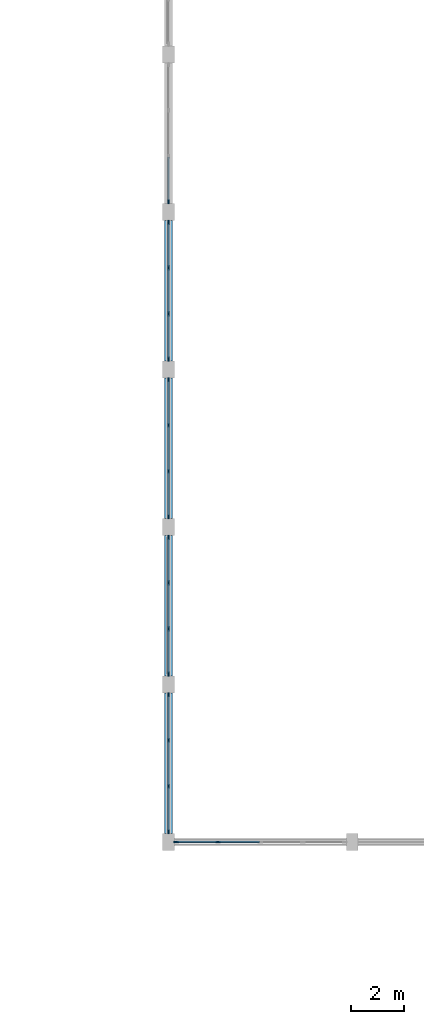
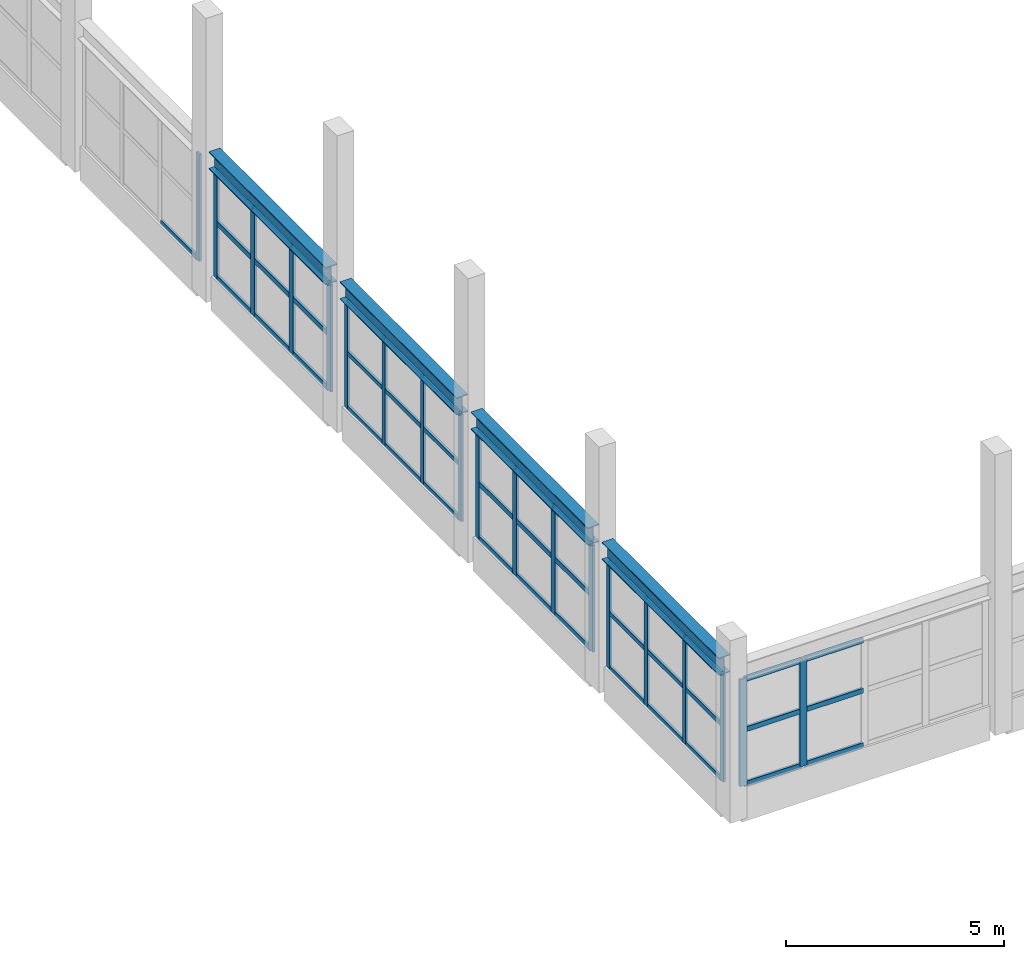
# One storey, part 12 of 89: 62 members, 4 beams, 6 elements without a shape of their own.
"""IFC4 building model written with IfcOpenShell, lengths in metres."""

import ifcopenshell
import ifcopenshell.guid

model = None  # the IFC model being written
_history = None  # IfcOwnerHistory: only IFC2X3 demands one
_inside = {}  # id of a spatial element -> (the spatial element, [elements in it])
_under = {}  # id of a project, library or spatial element -> (it, [spatial elements below it])
_declared = {}  # id of a project -> (the project, [libraries it declares])
_typed = {}  # id of a type object -> (the type object, [elements of that type])
_made_of = {}  # id of a material, layer set ... -> (it, [elements and type objects made of it])


def new_model(schema):
    """Start an empty IFC model of exactly this schema.

    Asked for "IFC4X3", IfcOpenShell would pick the latest addendum, in which some entities
    have other attributes; the version numbers below select the first issue.
    IFC2X3 requires an IfcOwnerHistory on every rooted entity: one is made here for all.
    """
    global model, _history
    if schema == "IFC4X3":
        model = ifcopenshell.file(schema_version=(4, 3, 0, 0))
    else:
        model = ifcopenshell.file(schema=schema)
    _inside.clear()
    _under.clear()
    _declared.clear()
    _typed.clear()
    _made_of.clear()
    _history = None
    if model.schema == "IFC2X3":
        org = make("IfcOrganization", Name="unknown")
        user = make(
            "IfcPersonAndOrganization",
            ThePerson=make("IfcPerson", FamilyName="unknown"),
            TheOrganization=org,
        )
        app = make(
            "IfcApplication",
            ApplicationDeveloper=org,
            Version="unknown",
            ApplicationFullName="unknown",
            ApplicationIdentifier="unknown",
        )
        _history = make(
            "IfcOwnerHistory",
            OwningUser=user,
            OwningApplication=app,
            ChangeAction="ADDED",
            CreationDate=0,
        )
    return model


def make(cls, **values):
    """One entity of the class cls with the attributes given. An attribute that is None is left unset."""
    return model.create_entity(
        cls, **{name: value for name, value in values.items() if value is not None}
    )


def rooted(cls, **values):
    """An entity with a GlobalId (a new one), such as an element, a storey or a relation."""
    return make(cls, GlobalId=ifcopenshell.guid.new(), OwnerHistory=_history, **values)


def si_unit(unit_type, name, prefix=None):
    """IfcSIUnit, for example si_unit("LENGTHUNIT", "METRE", prefix="MILLI")."""
    return make("IfcSIUnit", UnitType=unit_type, Prefix=prefix, Name=name)


def assignment(units):
    """IfcUnitAssignment: the units of a project."""
    return None if units is None else make("IfcUnitAssignment", Units=units)


def point(xyz):
    """IfcCartesianPoint."""
    return None if xyz is None else make("IfcCartesianPoint", Coordinates=xyz)


def direction(xyz):
    """IfcDirection."""
    return None if xyz is None else make("IfcDirection", DirectionRatios=xyz)


def frame(location, z_axis=None, x_axis=None):
    """IfcAxis2Placement3D, a coordinate frame: its origin and axes. An axis left out is left unset."""
    return make(
        "IfcAxis2Placement3D",
        Location=point(location),
        Axis=direction(z_axis),
        RefDirection=direction(x_axis),
    )


def frame_2d(location, x_axis=None):
    """IfcAxis2Placement2D, a coordinate frame in the plane: its origin and x axis."""
    return make(
        "IfcAxis2Placement2D", Location=point(location), RefDirection=direction(x_axis)
    )


def origin():
    """The frame at (0, 0, 0) with its axes left unset."""
    return frame((0.0, 0.0, 0.0))


def origin_2d():
    """The frame at (0, 0) in the plane with its x axis left unset."""
    return frame_2d((0.0, 0.0))


def place(relative_to, where):
    """IfcLocalPlacement: puts the frame where relative to a parent placement (None: the world)."""
    return make(
        "IfcLocalPlacement", PlacementRelTo=relative_to, RelativePlacement=where
    )


def context(
    kind, dimensions, precision=None, world=None, true_north=None, identifier=None
):
    """IfcGeometricRepresentationContext, for example the 3D "Model" context."""
    return make(
        "IfcGeometricRepresentationContext",
        ContextIdentifier=identifier,
        ContextType=kind,
        CoordinateSpaceDimension=dimensions,
        Precision=precision,
        WorldCoordinateSystem=world,
        TrueNorth=true_north,
    )


def subcontext(parent, identifier, kind, view, scale=None):
    """IfcGeometricRepresentationSubContext, for example "Body" below "Model"."""
    return make(
        "IfcGeometricRepresentationSubContext",
        ContextIdentifier=identifier,
        ContextType=kind,
        ParentContext=parent,
        TargetScale=scale,
        TargetView=view,
    )


def project(units=None, contexts=None):
    """IfcProject with its units and contexts."""
    return rooted(
        "IfcProject",
        Name="project",
        RepresentationContexts=contexts,
        UnitsInContext=assignment(units),
    )


def spatial(cls, under=None, at=None, **own):
    """A site, building, storey or space (cls), placed at a placement, below another one or the project."""
    s = rooted(cls, ObjectPlacement=at, **own)
    if under is not None:
        _under.setdefault(under.id(), (under, []))[1].append(s)
    return s


def profile(cls, at=None, kind="AREA", **sizes):
    """A parametric profile (cls). Its sizes go by their IFC names, for example OverallWidth=200.0."""
    return make(cls, ProfileType=kind, Position=at, **sizes)


def rectangle(**sizes):
    """IfcRectangleProfileDef."""
    return profile("IfcRectangleProfileDef", **sizes)


def i_section(**sizes):
    """IfcIShapeProfileDef."""
    return profile("IfcIShapeProfileDef", **sizes)


def extrude(swept, where, along, depth):
    """IfcExtrudedAreaSolid: the profile swept, set in the frame where, extruded along a direction by depth."""
    return make(
        "IfcExtrudedAreaSolid",
        SweptArea=swept,
        Position=where,
        ExtrudedDirection=direction(along),
        Depth=depth,
    )


def shape(context_of_items, identifier, shape_type, items):
    """IfcShapeRepresentation: the items that make up one representation, for example the "Body"."""
    return make(
        "IfcShapeRepresentation",
        ContextOfItems=context_of_items,
        RepresentationIdentifier=identifier,
        RepresentationType=shape_type,
        Items=items,
    )


def material(Name=None, Category=None):
    """IfcMaterial."""
    return make("IfcMaterial", Name=Name, Category=Category)


def layer(
    of_material, thickness, ventilated=None, Name=None, Category=None, Priority=None
):
    """IfcMaterialLayer: one layer of a wall or slab, of a material (None: an air gap)."""
    return make(
        "IfcMaterialLayer",
        Material=of_material,
        LayerThickness=thickness,
        IsVentilated=ventilated,
        Name=Name,
        Category=Category,
        Priority=Priority,
    )


def layer_set(layers, Name=None):
    """IfcMaterialLayerSet."""
    return make("IfcMaterialLayerSet", MaterialLayers=layers, LayerSetName=Name)


def material_profile(
    of_material, cross_section, Name=None, Category=None, Priority=None
):
    """IfcMaterialProfile: a cross section and its material."""
    return make(
        "IfcMaterialProfile",
        Name=Name,
        Material=of_material,
        Profile=cross_section,
        Priority=Priority,
        Category=Category,
    )


def profile_set(profiles, Name=None, composite=None):
    """IfcMaterialProfileSet."""
    return make(
        "IfcMaterialProfileSet",
        Name=Name,
        MaterialProfiles=profiles,
        CompositeProfile=composite,
    )


def made_of(thing, what):
    """Note that an element or type object is made of a material, layer set ...; save() writes the relation."""
    if what is not None:
        _made_of.setdefault(what.id(), (what, []))[1].append(thing)
    return thing


def type_object(cls, material=None, **own):
    """A type object (cls), such as IfcWallType, which elements share."""
    return made_of(rooted(cls, **own), material)


def element(
    cls,
    number,
    at=None,
    inside=None,
    cuts=None,
    type_object=None,
    material=None,
    context=None,
    identifier="Body",
    shape_type=None,
    held_by="IfcProductDefinitionShape",
    body=None,
    shapes=None,
    **own,
):
    """One element of the class cls, such as IfcWall. Its Tag is "e" and its number.

    at: its placement. inside: the storey or other place that contains it. cuts: it is an
    opening in that element (IfcRelVoidsElement). A single representation is given by context,
    identifier, shape_type and body (its items); several are given by shapes. held_by: the class
    of the entity that holds the representations. save() writes the other relations.
    """
    e = rooted(cls, Tag="e%d" % number, ObjectPlacement=at, **own)
    if body is not None:
        shapes = [shape(context, identifier, shape_type, body)]
    if shapes is not None:
        e.Representation = make(held_by, Representations=shapes)
    if inside is not None:
        _inside.setdefault(inside.id(), (inside, []))[1].append(e)
    if cuts is not None:
        rooted(
            "IfcRelVoidsElement", RelatingBuildingElement=cuts, RelatedOpeningElement=e
        )
    if type_object is not None:
        _typed.setdefault(type_object.id(), (type_object, []))[1].append(e)
    return made_of(e, material)


def aggregate(whole, parts):
    """IfcRelAggregates: a whole, such as a stair, and the parts it consists of."""
    return rooted("IfcRelAggregates", RelatingObject=whole, RelatedObjects=parts)


def save(model, path):
    """Write the relations noted so far, then the file.

    IfcRelAggregates (storeys below a building ...), IfcRelContainedInSpatialStructure (elements
    in a storey), IfcRelDefinesByType, IfcRelAssociatesMaterial and IfcRelDeclares: one each for
    every whole, place, type object, material and project.
    """
    for whole, parts in _under.values():
        aggregate(whole, parts)
    for where, things in _inside.values():
        rooted(
            "IfcRelContainedInSpatialStructure",
            RelatedElements=things,
            RelatingStructure=where,
        )
    for kind, things in _typed.values():
        rooted("IfcRelDefinesByType", RelatedObjects=things, RelatingType=kind)
    for what, things in _made_of.values():
        rooted("IfcRelAssociatesMaterial", RelatedObjects=things, RelatingMaterial=what)
    for by, libraries in _declared.values():
        rooted("IfcRelDeclares", RelatingContext=by, RelatedDefinitions=libraries)
    model.write(path)


model = new_model("IFC4")

# Units and contexts
model_context = context("Model", 3, precision=1e-05, world=origin(), true_north=direction((0.0, 1.0)))
body_context = subcontext(model_context, "Body", "Model", "MODEL_VIEW")
ifc_project = project(units=[si_unit("LENGTHUNIT", "METRE"), si_unit("AREAUNIT", "SQUARE_METRE"), si_unit("VOLUMEUNIT", "CUBIC_METRE"), si_unit("PLANEANGLEUNIT", "RADIAN"), si_unit("MASSUNIT", "GRAM", prefix="KILO")], contexts=[model_context])

# Site, building, storey
site_placement = place(None, origin())
site = spatial("IfcSite", under=ifc_project, at=site_placement, CompositionType="ELEMENT")
building_placement = place(site_placement, origin())
building = spatial("IfcBuilding", under=site, at=building_placement, Name="Tonlespit Floodbar School", CompositionType="ELEMENT")
storey_placement = place(building_placement, frame((0.0, 0.0, 4.5)))
storey = spatial("IfcBuildingStorey", under=building, at=storey_placement, Name="L01", CompositionType="ELEMENT", Elevation=4.5)

# Curtain wall, members
ifc_material_1 = material(Name="Anodised Aluminium", Category="aluminium")
ifc_layer_1 = layer(ifc_material_1, 0.159912109375)
ifc_layer_set_1 = layer_set([ifc_layer_1], Name="Anodised Aluminium")
curtain_wall_type_1 = type_object("IfcCurtainWallType", Name="CurtainWall_5250x3000", PredefinedType="NOTDEFINED", material=ifc_layer_set_1)
curtain_wall_1_placement = place(storey_placement, origin())
curtain_wall_1 = element("IfcCurtainWall", 1, at=curtain_wall_1_placement, inside=storey, type_object=curtain_wall_type_1, Name="L01 unitised curtain wall 0318", PredefinedType="NOTDEFINED")
ifc_material_profile_1 = material_profile(ifc_material_1, rectangle(XDim=0.06494140625, YDim=0.14990234375, at=origin_2d()), Name="ALU M65x150")
ifc_profile_set_1 = profile_set([ifc_material_profile_1], Name="Anodised Aluminium")
member_type_1 = type_object("IfcMemberType", Name="CW_Mullion_65x150", PredefinedType="MULLION", material=ifc_profile_set_1)
member_1_placement = place(storey_placement, frame((127.0, 20.3974609375, 0.68994140625), z_axis=(0.0, 0.0, 1.0), x_axis=(-1.0, 0.0, 0.0)))
member_1 = element("IfcMember", 2, at=member_1_placement, type_object=member_type_1, Name="CW-50 mullion 1", PredefinedType="MULLION", context=body_context, shape_type="SweptSolid", body=[
    extrude(rectangle(XDim=0.06494140625, YDim=0.14990234375, at=origin_2d()), origin(), (0.0, 0.0, 1.0), 2.989990234375),
])
member_2_placement = place(storey_placement, frame((127.0, 22.12158203125, 0.68994140625), z_axis=(0.0, 0.0, 1.0), x_axis=(-1.0, 0.0, 0.0)))
member_2 = element("IfcMember", 3, at=member_2_placement, type_object=member_type_1, Name="CW-50 mullion 2", PredefinedType="MULLION", context=body_context, shape_type="SweptSolid", body=[
    extrude(rectangle(XDim=0.06494140625, YDim=0.14990234375, at=origin_2d()), origin(), (0.0, 0.0, 1.0), 2.989990234375),
])
member_3_placement = place(storey_placement, frame((127.0, 23.87841796875, 0.68994140625), z_axis=(0.0, 0.0, 1.0), x_axis=(-1.0, 0.0, 0.0)))
member_3 = element("IfcMember", 4, at=member_3_placement, type_object=member_type_1, Name="CW-50 mullion 3", PredefinedType="MULLION", context=body_context, shape_type="SweptSolid", body=[
    extrude(rectangle(XDim=0.06494140625, YDim=0.14990234375, at=origin_2d()), origin(), (0.0, 0.0, 1.0), 2.989990234375),
])
member_4_placement = place(storey_placement, frame((127.0, 25.6025390625, 0.68994140625), z_axis=(0.0, 0.0, 1.0), x_axis=(-1.0, 0.0, 0.0)))
member_4 = element("IfcMember", 5, at=member_4_placement, type_object=member_type_1, Name="CW-50 mullion 4", PredefinedType="MULLION", context=body_context, shape_type="SweptSolid", body=[
    extrude(rectangle(XDim=0.06494140625, YDim=0.14990234375, at=origin_2d()), origin(), (0.0, 0.0, 1.0), 2.989990234375),
])

curtain_wall_2_placement = place(storey_placement, origin())
curtain_wall_2 = element("IfcCurtainWall", 6, at=curtain_wall_2_placement, inside=storey, type_object=curtain_wall_type_1, Name="L01 unitised curtain wall 0320", PredefinedType="NOTDEFINED")
member_5_placement = place(storey_placement, frame((127.0, 32.3974609375, 0.68994140625), z_axis=(0.0, 0.0, 1.0), x_axis=(-1.0, 0.0, 0.0)))
member_5 = element("IfcMember", 7, at=member_5_placement, type_object=member_type_1, Name="CW-50 mullion 1", PredefinedType="MULLION", context=body_context, shape_type="SweptSolid", body=[
    extrude(rectangle(XDim=0.06494140625, YDim=0.14990234375, at=origin_2d()), origin(), (0.0, 0.0, 1.0), 2.989990234375),
])
member_6_placement = place(storey_placement, frame((127.0, 34.12158203125, 0.68994140625), z_axis=(0.0, 0.0, 1.0), x_axis=(-1.0, 0.0, 0.0)))
member_6 = element("IfcMember", 8, at=member_6_placement, type_object=member_type_1, Name="CW-50 mullion 2", PredefinedType="MULLION", context=body_context, shape_type="SweptSolid", body=[
    extrude(rectangle(XDim=0.06494140625, YDim=0.14990234375, at=origin_2d()), origin(), (0.0, 0.0, 1.0), 2.989990234375),
])
member_7_placement = place(storey_placement, frame((127.0, 35.87841796875, 0.68994140625), z_axis=(0.0, 0.0, 1.0), x_axis=(-1.0, 0.0, 0.0)))
member_7 = element("IfcMember", 9, at=member_7_placement, type_object=member_type_1, Name="CW-50 mullion 3", PredefinedType="MULLION", context=body_context, shape_type="SweptSolid", body=[
    extrude(rectangle(XDim=0.06494140625, YDim=0.14990234375, at=origin_2d()), origin(), (0.0, 0.0, 1.0), 2.989990234375),
])
member_8_placement = place(storey_placement, frame((127.0, 37.6025390625, 0.68994140625), z_axis=(0.0, 0.0, 1.0), x_axis=(-1.0, 0.0, 0.0)))
member_8 = element("IfcMember", 10, at=member_8_placement, type_object=member_type_1, Name="CW-50 mullion 4", PredefinedType="MULLION", context=body_context, shape_type="SweptSolid", body=[
    extrude(rectangle(XDim=0.06494140625, YDim=0.14990234375, at=origin_2d()), origin(), (0.0, 0.0, 1.0), 2.989990234375),
])

# Curtain wall, member
curtain_wall_3_placement = place(storey_placement, origin())
curtain_wall_3 = element("IfcCurtainWall", 11, at=curtain_wall_3_placement, inside=storey, type_object=curtain_wall_type_1, Name="L01 unitised curtain wall 0322", PredefinedType="NOTDEFINED")
member_9_placement = place(storey_placement, frame((127.0, 44.3974609375, 0.68994140625), z_axis=(0.0, 0.0, 1.0), x_axis=(-1.0, 0.0, 0.0)))
member_9 = element("IfcMember", 12, at=member_9_placement, type_object=member_type_1, Name="CW-50 mullion 1", PredefinedType="MULLION", context=body_context, shape_type="SweptSolid", body=[
    extrude(rectangle(XDim=0.06494140625, YDim=0.14990234375, at=origin_2d()), origin(), (0.0, 0.0, 1.0), 2.989990234375),
])

# Curtain wall, members
ifc_layer_2 = layer(ifc_material_1, 0.159912109375)
ifc_layer_set_2 = layer_set([ifc_layer_2], Name="Anodised Aluminium")
curtain_wall_type_2 = type_object("IfcCurtainWallType", Name="CurtainWall_6450x3000", PredefinedType="NOTDEFINED", material=ifc_layer_set_2)
curtain_wall_4_placement = place(storey_placement, origin())
curtain_wall_4 = element("IfcCurtainWall", 13, at=curtain_wall_4_placement, inside=storey, type_object=curtain_wall_type_2, Name="L01 unitised curtain wall 0317", PredefinedType="NOTDEFINED")
ifc_material_profile_2 = material_profile(ifc_material_1, rectangle(XDim=0.06494140625, YDim=0.179931640625, at=origin_2d()), Name="ALU M65x180")
ifc_profile_set_2 = profile_set([ifc_material_profile_2], Name="Anodised Aluminium")
member_type_2 = type_object("IfcMemberType", Name="CW_Mullion_65x180", PredefinedType="MULLION", material=ifc_profile_set_2)
member_10_placement = place(storey_placement, frame((128.882568359375, 20.0, 0.68994140625), z_axis=(0.0, 0.0, 1.0), x_axis=(0.0, -1.0, 0.0)))
member_10 = element("IfcMember", 14, at=member_10_placement, type_object=member_type_2, Name="CW-49 mullion 4", PredefinedType="MULLION", context=body_context, shape_type="SweptSolid", body=[
    extrude(rectangle(XDim=0.06494140625, YDim=0.179931640625, at=origin_2d()), origin(), (0.0, 0.0, 1.0), 2.989990234375),
])
member_11_placement = place(storey_placement, frame((127.297607421875, 20.0, 0.68994140625), z_axis=(0.0, 0.0, 1.0), x_axis=(0.0, -1.0, 0.0)))
member_11 = element("IfcMember", 15, at=member_11_placement, type_object=member_type_2, Name="CW-49 mullion 5", PredefinedType="MULLION", context=body_context, shape_type="SweptSolid", body=[
    extrude(rectangle(XDim=0.06494140625, YDim=0.179931640625, at=origin_2d()), origin(), (0.0, 0.0, 1.0), 2.989990234375),
])

curtain_wall_5_placement = place(storey_placement, origin())
curtain_wall_5 = element("IfcCurtainWall", 16, at=curtain_wall_5_placement, inside=storey, type_object=curtain_wall_type_1, Name="L01 unitised curtain wall 0319", PredefinedType="NOTDEFINED")
member_12_placement = place(storey_placement, frame((127.0, 26.3974609375, 0.68994140625), z_axis=(0.0, 0.0, 1.0), x_axis=(-1.0, 0.0, 0.0)))
member_12 = element("IfcMember", 17, at=member_12_placement, type_object=member_type_2, Name="CW-50 mullion 1", PredefinedType="MULLION", context=body_context, shape_type="SweptSolid", body=[
    extrude(rectangle(XDim=0.06494140625, YDim=0.179931640625, at=origin_2d()), origin(), (0.0, 0.0, 1.0), 2.989990234375),
])
member_13_placement = place(storey_placement, frame((127.0, 28.12158203125, 0.68994140625), z_axis=(0.0, 0.0, 1.0), x_axis=(-1.0, 0.0, 0.0)))
member_13 = element("IfcMember", 18, at=member_13_placement, type_object=member_type_2, Name="CW-50 mullion 2", PredefinedType="MULLION", context=body_context, shape_type="SweptSolid", body=[
    extrude(rectangle(XDim=0.06494140625, YDim=0.179931640625, at=origin_2d()), origin(), (0.0, 0.0, 1.0), 2.989990234375),
])
member_14_placement = place(storey_placement, frame((127.0, 29.87841796875, 0.68994140625), z_axis=(0.0, 0.0, 1.0), x_axis=(-1.0, 0.0, 0.0)))
member_14 = element("IfcMember", 19, at=member_14_placement, type_object=member_type_2, Name="CW-50 mullion 3", PredefinedType="MULLION", context=body_context, shape_type="SweptSolid", body=[
    extrude(rectangle(XDim=0.06494140625, YDim=0.179931640625, at=origin_2d()), origin(), (0.0, 0.0, 1.0), 2.989990234375),
])
member_15_placement = place(storey_placement, frame((127.0, 31.6025390625, 0.68994140625), z_axis=(0.0, 0.0, 1.0), x_axis=(-1.0, 0.0, 0.0)))
member_15 = element("IfcMember", 20, at=member_15_placement, type_object=member_type_2, Name="CW-50 mullion 4", PredefinedType="MULLION", context=body_context, shape_type="SweptSolid", body=[
    extrude(rectangle(XDim=0.06494140625, YDim=0.179931640625, at=origin_2d()), origin(), (0.0, 0.0, 1.0), 2.989990234375),
])

curtain_wall_6_placement = place(storey_placement, origin())
curtain_wall_6 = element("IfcCurtainWall", 21, at=curtain_wall_6_placement, inside=storey, type_object=curtain_wall_type_1, Name="L01 unitised curtain wall 0321", PredefinedType="NOTDEFINED")
member_16_placement = place(storey_placement, frame((127.0, 38.3974609375, 0.68994140625), z_axis=(0.0, 0.0, 1.0), x_axis=(-1.0, 0.0, 0.0)))
member_16 = element("IfcMember", 22, at=member_16_placement, type_object=member_type_2, Name="CW-50 mullion 1", PredefinedType="MULLION", context=body_context, shape_type="SweptSolid", body=[
    extrude(rectangle(XDim=0.06494140625, YDim=0.179931640625, at=origin_2d()), origin(), (0.0, 0.0, 1.0), 2.989990234375),
])
member_17_placement = place(storey_placement, frame((127.0, 40.12158203125, 0.68994140625), z_axis=(0.0, 0.0, 1.0), x_axis=(-1.0, 0.0, 0.0)))
member_17 = element("IfcMember", 23, at=member_17_placement, type_object=member_type_2, Name="CW-50 mullion 2", PredefinedType="MULLION", context=body_context, shape_type="SweptSolid", body=[
    extrude(rectangle(XDim=0.06494140625, YDim=0.179931640625, at=origin_2d()), origin(), (0.0, 0.0, 1.0), 2.989990234375),
])
member_18_placement = place(storey_placement, frame((127.0, 41.87841796875, 0.68994140625), z_axis=(0.0, 0.0, 1.0), x_axis=(-1.0, 0.0, 0.0)))
member_18 = element("IfcMember", 24, at=member_18_placement, type_object=member_type_2, Name="CW-50 mullion 3", PredefinedType="MULLION", context=body_context, shape_type="SweptSolid", body=[
    extrude(rectangle(XDim=0.06494140625, YDim=0.179931640625, at=origin_2d()), origin(), (0.0, 0.0, 1.0), 2.989990234375),
])
member_19_placement = place(storey_placement, frame((127.0, 43.6025390625, 0.68994140625), z_axis=(0.0, 0.0, 1.0), x_axis=(-1.0, 0.0, 0.0)))
member_19 = element("IfcMember", 25, at=member_19_placement, type_object=member_type_2, Name="CW-50 mullion 4", PredefinedType="MULLION", context=body_context, shape_type="SweptSolid", body=[
    extrude(rectangle(XDim=0.06494140625, YDim=0.179931640625, at=origin_2d()), origin(), (0.0, 0.0, 1.0), 2.989990234375),
])

# Member
ifc_material_profile_3 = material_profile(ifc_material_1, rectangle(XDim=0.06494140625, YDim=0.1201171875, at=origin_2d()), Name="ALU T65x120")
ifc_profile_set_3 = profile_set([ifc_material_profile_3], Name="Anodised Aluminium")
member_type_3 = type_object("IfcMemberType", Name="CW_Transom_65x120", PredefinedType="USERDEFINED", material=ifc_profile_set_3)
member_20_placement = place(storey_placement, frame((127.0, 20.429931640625, 0.722412109375), z_axis=(0.0, 1.0, 0.0), x_axis=(-1.0, 0.0, 0.0)))
member_20 = element("IfcMember", 26, at=member_20_placement, type_object=member_type_3, Name="CW-50 transom 1.1", ObjectType="TRANSOM", PredefinedType="USERDEFINED", context=body_context, shape_type="SweptSolid", body=[
    extrude(rectangle(XDim=0.06494140625, YDim=0.1201171875, at=origin_2d()), origin(), (0.0, 0.0, 1.0), 1.6591796875),
])

member_21_placement = place(storey_placement, frame((127.0, 20.429931640625, 2.244873046875), z_axis=(0.0, 1.0, 0.0), x_axis=(-1.0, 0.0, 0.0)))
member_21 = element("IfcMember", 27, at=member_21_placement, type_object=member_type_3, Name="CW-50 transom 1.2", ObjectType="TRANSOM", PredefinedType="USERDEFINED", context=body_context, shape_type="SweptSolid", body=[
    extrude(rectangle(XDim=0.06494140625, YDim=0.1201171875, at=origin_2d()), origin(), (0.0, 0.0, 1.0), 1.6591796875),
])

member_22_placement = place(storey_placement, frame((127.0, 20.429931640625, 3.6474609375), z_axis=(0.0, 1.0, 0.0), x_axis=(-1.0, 0.0, 0.0)))
member_22 = element("IfcMember", 28, at=member_22_placement, type_object=member_type_3, Name="CW-50 transom 1.3", ObjectType="TRANSOM", PredefinedType="USERDEFINED", context=body_context, shape_type="SweptSolid", body=[
    extrude(rectangle(XDim=0.06494140625, YDim=0.1201171875, at=origin_2d()), origin(), (0.0, 0.0, 1.0), 1.6591796875),
])

member_23_placement = place(storey_placement, frame((127.0, 22.154052734375, 0.722412109375), z_axis=(0.0, 1.0, 0.0), x_axis=(-1.0, 0.0, 0.0)))
member_23 = element("IfcMember", 29, at=member_23_placement, type_object=member_type_3, Name="CW-50 transom 2.1", ObjectType="TRANSOM", PredefinedType="USERDEFINED", context=body_context, shape_type="SweptSolid", body=[
    extrude(rectangle(XDim=0.06494140625, YDim=0.1201171875, at=origin_2d()), origin(), (0.0, 0.0, 1.0), 1.69189453125),
])

member_24_placement = place(storey_placement, frame((127.0, 22.154052734375, 2.244873046875), z_axis=(0.0, 1.0, 0.0), x_axis=(-1.0, 0.0, 0.0)))
member_24 = element("IfcMember", 30, at=member_24_placement, type_object=member_type_3, Name="CW-50 transom 2.2", ObjectType="TRANSOM", PredefinedType="USERDEFINED", context=body_context, shape_type="SweptSolid", body=[
    extrude(rectangle(XDim=0.06494140625, YDim=0.1201171875, at=origin_2d()), origin(), (0.0, 0.0, 1.0), 1.69189453125),
])

member_25_placement = place(storey_placement, frame((127.0, 22.154052734375, 3.6474609375), z_axis=(0.0, 1.0, 0.0), x_axis=(-1.0, 0.0, 0.0)))
member_25 = element("IfcMember", 31, at=member_25_placement, type_object=member_type_3, Name="CW-50 transom 2.3", ObjectType="TRANSOM", PredefinedType="USERDEFINED", context=body_context, shape_type="SweptSolid", body=[
    extrude(rectangle(XDim=0.06494140625, YDim=0.1201171875, at=origin_2d()), origin(), (0.0, 0.0, 1.0), 1.69189453125),
])

member_26_placement = place(storey_placement, frame((127.0, 23.910888671875, 0.722412109375), z_axis=(0.0, 1.0, 0.0), x_axis=(-1.0, 0.0, 0.0)))
member_26 = element("IfcMember", 32, at=member_26_placement, type_object=member_type_3, Name="CW-50 transom 3.1", ObjectType="TRANSOM", PredefinedType="USERDEFINED", context=body_context, shape_type="SweptSolid", body=[
    extrude(rectangle(XDim=0.06494140625, YDim=0.1201171875, at=origin_2d()), origin(), (0.0, 0.0, 1.0), 1.6591796875),
])

member_27_placement = place(storey_placement, frame((127.0, 23.910888671875, 2.244873046875), z_axis=(0.0, 1.0, 0.0), x_axis=(-1.0, 0.0, 0.0)))
member_27 = element("IfcMember", 33, at=member_27_placement, type_object=member_type_3, Name="CW-50 transom 3.2", ObjectType="TRANSOM", PredefinedType="USERDEFINED", context=body_context, shape_type="SweptSolid", body=[
    extrude(rectangle(XDim=0.06494140625, YDim=0.1201171875, at=origin_2d()), origin(), (0.0, 0.0, 1.0), 1.6591796875),
])

member_28_placement = place(storey_placement, frame((127.0, 23.910888671875, 3.6474609375), z_axis=(0.0, 1.0, 0.0), x_axis=(-1.0, 0.0, 0.0)))
member_28 = element("IfcMember", 34, at=member_28_placement, type_object=member_type_3, Name="CW-50 transom 3.3", ObjectType="TRANSOM", PredefinedType="USERDEFINED", context=body_context, shape_type="SweptSolid", body=[
    extrude(rectangle(XDim=0.06494140625, YDim=0.1201171875, at=origin_2d()), origin(), (0.0, 0.0, 1.0), 1.6591796875),
])

aggregate(curtain_wall_1, [member_1, member_2, member_3, member_4, member_20, member_21, member_22, member_23, member_24, member_25, member_26, member_27, member_28])

member_29_placement = place(storey_placement, frame((127.0, 32.429931640625, 0.722412109375), z_axis=(0.0, 1.0, 0.0), x_axis=(-1.0, 0.0, 0.0)))
member_29 = element("IfcMember", 35, at=member_29_placement, type_object=member_type_3, Name="CW-50 transom 1.1", ObjectType="TRANSOM", PredefinedType="USERDEFINED", context=body_context, shape_type="SweptSolid", body=[
    extrude(rectangle(XDim=0.06494140625, YDim=0.1201171875, at=origin_2d()), origin(), (0.0, 0.0, 1.0), 1.6591796875),
])

member_30_placement = place(storey_placement, frame((127.0, 32.429931640625, 2.244873046875), z_axis=(0.0, 1.0, 0.0), x_axis=(-1.0, 0.0, 0.0)))
member_30 = element("IfcMember", 36, at=member_30_placement, type_object=member_type_3, Name="CW-50 transom 1.2", ObjectType="TRANSOM", PredefinedType="USERDEFINED", context=body_context, shape_type="SweptSolid", body=[
    extrude(rectangle(XDim=0.06494140625, YDim=0.1201171875, at=origin_2d()), origin(), (0.0, 0.0, 1.0), 1.6591796875),
])

member_31_placement = place(storey_placement, frame((127.0, 32.429931640625, 3.6474609375), z_axis=(0.0, 1.0, 0.0), x_axis=(-1.0, 0.0, 0.0)))
member_31 = element("IfcMember", 37, at=member_31_placement, type_object=member_type_3, Name="CW-50 transom 1.3", ObjectType="TRANSOM", PredefinedType="USERDEFINED", context=body_context, shape_type="SweptSolid", body=[
    extrude(rectangle(XDim=0.06494140625, YDim=0.1201171875, at=origin_2d()), origin(), (0.0, 0.0, 1.0), 1.6591796875),
])

member_32_placement = place(storey_placement, frame((127.0, 34.154052734375, 0.722412109375), z_axis=(0.0, 1.0, 0.0), x_axis=(-1.0, 0.0, 0.0)))
member_32 = element("IfcMember", 38, at=member_32_placement, type_object=member_type_3, Name="CW-50 transom 2.1", ObjectType="TRANSOM", PredefinedType="USERDEFINED", context=body_context, shape_type="SweptSolid", body=[
    extrude(rectangle(XDim=0.06494140625, YDim=0.1201171875, at=origin_2d()), origin(), (0.0, 0.0, 1.0), 1.69189453125),
])

member_33_placement = place(storey_placement, frame((127.0, 34.154052734375, 2.244873046875), z_axis=(0.0, 1.0, 0.0), x_axis=(-1.0, 0.0, 0.0)))
member_33 = element("IfcMember", 39, at=member_33_placement, type_object=member_type_3, Name="CW-50 transom 2.2", ObjectType="TRANSOM", PredefinedType="USERDEFINED", context=body_context, shape_type="SweptSolid", body=[
    extrude(rectangle(XDim=0.06494140625, YDim=0.1201171875, at=origin_2d()), origin(), (0.0, 0.0, 1.0), 1.69189453125),
])

member_34_placement = place(storey_placement, frame((127.0, 34.154052734375, 3.6474609375), z_axis=(0.0, 1.0, 0.0), x_axis=(-1.0, 0.0, 0.0)))
member_34 = element("IfcMember", 40, at=member_34_placement, type_object=member_type_3, Name="CW-50 transom 2.3", ObjectType="TRANSOM", PredefinedType="USERDEFINED", context=body_context, shape_type="SweptSolid", body=[
    extrude(rectangle(XDim=0.06494140625, YDim=0.1201171875, at=origin_2d()), origin(), (0.0, 0.0, 1.0), 1.69189453125),
])

member_35_placement = place(storey_placement, frame((127.0, 35.910888671875, 0.722412109375), z_axis=(0.0, 1.0, 0.0), x_axis=(-1.0, 0.0, 0.0)))
member_35 = element("IfcMember", 41, at=member_35_placement, type_object=member_type_3, Name="CW-50 transom 3.1", ObjectType="TRANSOM", PredefinedType="USERDEFINED", context=body_context, shape_type="SweptSolid", body=[
    extrude(rectangle(XDim=0.06494140625, YDim=0.1201171875, at=origin_2d()), origin(), (0.0, 0.0, 1.0), 1.6591796875),
])

member_36_placement = place(storey_placement, frame((127.0, 35.910888671875, 2.244873046875), z_axis=(0.0, 1.0, 0.0), x_axis=(-1.0, 0.0, 0.0)))
member_36 = element("IfcMember", 42, at=member_36_placement, type_object=member_type_3, Name="CW-50 transom 3.2", ObjectType="TRANSOM", PredefinedType="USERDEFINED", context=body_context, shape_type="SweptSolid", body=[
    extrude(rectangle(XDim=0.06494140625, YDim=0.1201171875, at=origin_2d()), origin(), (0.0, 0.0, 1.0), 1.6591796875),
])

member_37_placement = place(storey_placement, frame((127.0, 35.910888671875, 3.6474609375), z_axis=(0.0, 1.0, 0.0), x_axis=(-1.0, 0.0, 0.0)))
member_37 = element("IfcMember", 43, at=member_37_placement, type_object=member_type_3, Name="CW-50 transom 3.3", ObjectType="TRANSOM", PredefinedType="USERDEFINED", context=body_context, shape_type="SweptSolid", body=[
    extrude(rectangle(XDim=0.06494140625, YDim=0.1201171875, at=origin_2d()), origin(), (0.0, 0.0, 1.0), 1.6591796875),
])

aggregate(curtain_wall_2, [member_5, member_6, member_7, member_8, member_29, member_30, member_31, member_32, member_33, member_34, member_35, member_36, member_37])

member_38_placement = place(storey_placement, frame((127.0, 44.429931640625, 0.722412109375), z_axis=(0.0, 1.0, 0.0), x_axis=(-1.0, 0.0, 0.0)))
member_38 = element("IfcMember", 44, at=member_38_placement, type_object=member_type_3, Name="CW-50 transom 1.1", ObjectType="TRANSOM", PredefinedType="USERDEFINED", context=body_context, shape_type="SweptSolid", body=[
    extrude(rectangle(XDim=0.06494140625, YDim=0.1201171875, at=origin_2d()), origin(), (0.0, 0.0, 1.0), 1.6591796875),
])

aggregate(curtain_wall_3, [member_9, member_38])

ifc_material_profile_4 = material_profile(ifc_material_1, rectangle(XDim=0.06494140625, YDim=0.139892578125, at=origin_2d()), Name="ALU T65x140")
ifc_profile_set_4 = profile_set([ifc_material_profile_4], Name="Anodised Aluminium")
member_type_4 = type_object("IfcMemberType", Name="CW_Transom_65x140", PredefinedType="USERDEFINED", material=ifc_profile_set_4)
member_39_placement = place(storey_placement, frame((130.467529296875, 20.0, 0.722412109375), z_axis=(-1.0, 0.0, 0.0), x_axis=(0.0, -1.0, 0.0)))
member_39 = element("IfcMember", 45, at=member_39_placement, type_object=member_type_4, Name="CW-49 transom 3.1", ObjectType="TRANSOM", PredefinedType="USERDEFINED", context=body_context, shape_type="SweptSolid", body=[
    extrude(rectangle(XDim=0.06494140625, YDim=0.139892578125, at=origin_2d()), origin(), (0.0, 0.0, 1.0), 1.552490234375),
])

member_40_placement = place(storey_placement, frame((130.467529296875, 20.0, 2.244873046875), z_axis=(-1.0, 0.0, 0.0), x_axis=(0.0, -1.0, 0.0)))
member_40 = element("IfcMember", 46, at=member_40_placement, type_object=member_type_4, Name="CW-49 transom 3.2", ObjectType="TRANSOM", PredefinedType="USERDEFINED", context=body_context, shape_type="SweptSolid", body=[
    extrude(rectangle(XDim=0.06494140625, YDim=0.139892578125, at=origin_2d()), origin(), (0.0, 0.0, 1.0), 1.552490234375),
])

member_41_placement = place(storey_placement, frame((130.467529296875, 20.0, 3.6474609375), z_axis=(-1.0, 0.0, 0.0), x_axis=(0.0, -1.0, 0.0)))
member_41 = element("IfcMember", 47, at=member_41_placement, type_object=member_type_4, Name="CW-49 transom 3.3", ObjectType="TRANSOM", PredefinedType="USERDEFINED", context=body_context, shape_type="SweptSolid", body=[
    extrude(rectangle(XDim=0.06494140625, YDim=0.139892578125, at=origin_2d()), origin(), (0.0, 0.0, 1.0), 1.552490234375),
])

member_42_placement = place(storey_placement, frame((128.85009765625, 20.0, 0.722412109375), z_axis=(-1.0, 0.0, 0.0), x_axis=(0.0, -1.0, 0.0)))
member_42 = element("IfcMember", 48, at=member_42_placement, type_object=member_type_4, Name="CW-49 transom 4.1", ObjectType="TRANSOM", PredefinedType="USERDEFINED", context=body_context, shape_type="SweptSolid", body=[
    extrude(rectangle(XDim=0.06494140625, YDim=0.139892578125, at=origin_2d()), origin(), (0.0, 0.0, 1.0), 1.52001953125),
])

member_43_placement = place(storey_placement, frame((128.85009765625, 20.0, 2.244873046875), z_axis=(-1.0, 0.0, 0.0), x_axis=(0.0, -1.0, 0.0)))
member_43 = element("IfcMember", 49, at=member_43_placement, type_object=member_type_4, Name="CW-49 transom 4.2", ObjectType="TRANSOM", PredefinedType="USERDEFINED", context=body_context, shape_type="SweptSolid", body=[
    extrude(rectangle(XDim=0.06494140625, YDim=0.139892578125, at=origin_2d()), origin(), (0.0, 0.0, 1.0), 1.52001953125),
])

member_44_placement = place(storey_placement, frame((128.85009765625, 20.0, 3.6474609375), z_axis=(-1.0, 0.0, 0.0), x_axis=(0.0, -1.0, 0.0)))
member_44 = element("IfcMember", 50, at=member_44_placement, type_object=member_type_4, Name="CW-49 transom 4.3", ObjectType="TRANSOM", PredefinedType="USERDEFINED", context=body_context, shape_type="SweptSolid", body=[
    extrude(rectangle(XDim=0.06494140625, YDim=0.139892578125, at=origin_2d()), origin(), (0.0, 0.0, 1.0), 1.52001953125),
])

aggregate(curtain_wall_4, [member_10, member_11, member_39, member_40, member_41, member_42, member_43, member_44])

member_45_placement = place(storey_placement, frame((127.0, 26.429931640625, 0.722412109375), z_axis=(0.0, 1.0, 0.0), x_axis=(-1.0, 0.0, 0.0)))
member_45 = element("IfcMember", 51, at=member_45_placement, type_object=member_type_4, Name="CW-50 transom 1.1", ObjectType="TRANSOM", PredefinedType="USERDEFINED", context=body_context, shape_type="SweptSolid", body=[
    extrude(rectangle(XDim=0.06494140625, YDim=0.139892578125, at=origin_2d()), origin(), (0.0, 0.0, 1.0), 1.6591796875),
])

member_46_placement = place(storey_placement, frame((127.0, 26.429931640625, 2.244873046875), z_axis=(0.0, 1.0, 0.0), x_axis=(-1.0, 0.0, 0.0)))
member_46 = element("IfcMember", 52, at=member_46_placement, type_object=member_type_4, Name="CW-50 transom 1.2", ObjectType="TRANSOM", PredefinedType="USERDEFINED", context=body_context, shape_type="SweptSolid", body=[
    extrude(rectangle(XDim=0.06494140625, YDim=0.139892578125, at=origin_2d()), origin(), (0.0, 0.0, 1.0), 1.6591796875),
])

member_47_placement = place(storey_placement, frame((127.0, 26.429931640625, 3.6474609375), z_axis=(0.0, 1.0, 0.0), x_axis=(-1.0, 0.0, 0.0)))
member_47 = element("IfcMember", 53, at=member_47_placement, type_object=member_type_4, Name="CW-50 transom 1.3", ObjectType="TRANSOM", PredefinedType="USERDEFINED", context=body_context, shape_type="SweptSolid", body=[
    extrude(rectangle(XDim=0.06494140625, YDim=0.139892578125, at=origin_2d()), origin(), (0.0, 0.0, 1.0), 1.6591796875),
])

member_48_placement = place(storey_placement, frame((127.0, 28.154052734375, 0.722412109375), z_axis=(0.0, 1.0, 0.0), x_axis=(-1.0, 0.0, 0.0)))
member_48 = element("IfcMember", 54, at=member_48_placement, type_object=member_type_4, Name="CW-50 transom 2.1", ObjectType="TRANSOM", PredefinedType="USERDEFINED", context=body_context, shape_type="SweptSolid", body=[
    extrude(rectangle(XDim=0.06494140625, YDim=0.139892578125, at=origin_2d()), origin(), (0.0, 0.0, 1.0), 1.69189453125),
])

member_49_placement = place(storey_placement, frame((127.0, 28.154052734375, 2.244873046875), z_axis=(0.0, 1.0, 0.0), x_axis=(-1.0, 0.0, 0.0)))
member_49 = element("IfcMember", 55, at=member_49_placement, type_object=member_type_4, Name="CW-50 transom 2.2", ObjectType="TRANSOM", PredefinedType="USERDEFINED", context=body_context, shape_type="SweptSolid", body=[
    extrude(rectangle(XDim=0.06494140625, YDim=0.139892578125, at=origin_2d()), origin(), (0.0, 0.0, 1.0), 1.69189453125),
])

member_50_placement = place(storey_placement, frame((127.0, 28.154052734375, 3.6474609375), z_axis=(0.0, 1.0, 0.0), x_axis=(-1.0, 0.0, 0.0)))
member_50 = element("IfcMember", 56, at=member_50_placement, type_object=member_type_4, Name="CW-50 transom 2.3", ObjectType="TRANSOM", PredefinedType="USERDEFINED", context=body_context, shape_type="SweptSolid", body=[
    extrude(rectangle(XDim=0.06494140625, YDim=0.139892578125, at=origin_2d()), origin(), (0.0, 0.0, 1.0), 1.69189453125),
])

member_51_placement = place(storey_placement, frame((127.0, 29.910888671875, 0.722412109375), z_axis=(0.0, 1.0, 0.0), x_axis=(-1.0, 0.0, 0.0)))
member_51 = element("IfcMember", 57, at=member_51_placement, type_object=member_type_4, Name="CW-50 transom 3.1", ObjectType="TRANSOM", PredefinedType="USERDEFINED", context=body_context, shape_type="SweptSolid", body=[
    extrude(rectangle(XDim=0.06494140625, YDim=0.139892578125, at=origin_2d()), origin(), (0.0, 0.0, 1.0), 1.6591796875),
])

member_52_placement = place(storey_placement, frame((127.0, 29.910888671875, 2.244873046875), z_axis=(0.0, 1.0, 0.0), x_axis=(-1.0, 0.0, 0.0)))
member_52 = element("IfcMember", 58, at=member_52_placement, type_object=member_type_4, Name="CW-50 transom 3.2", ObjectType="TRANSOM", PredefinedType="USERDEFINED", context=body_context, shape_type="SweptSolid", body=[
    extrude(rectangle(XDim=0.06494140625, YDim=0.139892578125, at=origin_2d()), origin(), (0.0, 0.0, 1.0), 1.6591796875),
])

member_53_placement = place(storey_placement, frame((127.0, 29.910888671875, 3.6474609375), z_axis=(0.0, 1.0, 0.0), x_axis=(-1.0, 0.0, 0.0)))
member_53 = element("IfcMember", 59, at=member_53_placement, type_object=member_type_4, Name="CW-50 transom 3.3", ObjectType="TRANSOM", PredefinedType="USERDEFINED", context=body_context, shape_type="SweptSolid", body=[
    extrude(rectangle(XDim=0.06494140625, YDim=0.139892578125, at=origin_2d()), origin(), (0.0, 0.0, 1.0), 1.6591796875),
])

aggregate(curtain_wall_5, [member_12, member_13, member_14, member_15, member_45, member_46, member_47, member_48, member_49, member_50, member_51, member_52, member_53])

member_54_placement = place(storey_placement, frame((127.0, 38.429931640625, 0.722412109375), z_axis=(0.0, 1.0, 0.0), x_axis=(-1.0, 0.0, 0.0)))
member_54 = element("IfcMember", 60, at=member_54_placement, type_object=member_type_4, Name="CW-50 transom 1.1", ObjectType="TRANSOM", PredefinedType="USERDEFINED", context=body_context, shape_type="SweptSolid", body=[
    extrude(rectangle(XDim=0.06494140625, YDim=0.139892578125, at=origin_2d()), origin(), (0.0, 0.0, 1.0), 1.6591796875),
])

member_55_placement = place(storey_placement, frame((127.0, 38.429931640625, 2.244873046875), z_axis=(0.0, 1.0, 0.0), x_axis=(-1.0, 0.0, 0.0)))
member_55 = element("IfcMember", 61, at=member_55_placement, type_object=member_type_4, Name="CW-50 transom 1.2", ObjectType="TRANSOM", PredefinedType="USERDEFINED", context=body_context, shape_type="SweptSolid", body=[
    extrude(rectangle(XDim=0.06494140625, YDim=0.139892578125, at=origin_2d()), origin(), (0.0, 0.0, 1.0), 1.6591796875),
])

member_56_placement = place(storey_placement, frame((127.0, 38.429931640625, 3.6474609375), z_axis=(0.0, 1.0, 0.0), x_axis=(-1.0, 0.0, 0.0)))
member_56 = element("IfcMember", 62, at=member_56_placement, type_object=member_type_4, Name="CW-50 transom 1.3", ObjectType="TRANSOM", PredefinedType="USERDEFINED", context=body_context, shape_type="SweptSolid", body=[
    extrude(rectangle(XDim=0.06494140625, YDim=0.139892578125, at=origin_2d()), origin(), (0.0, 0.0, 1.0), 1.6591796875),
])

member_57_placement = place(storey_placement, frame((127.0, 40.154052734375, 0.722412109375), z_axis=(0.0, 1.0, 0.0), x_axis=(-1.0, 0.0, 0.0)))
member_57 = element("IfcMember", 63, at=member_57_placement, type_object=member_type_4, Name="CW-50 transom 2.1", ObjectType="TRANSOM", PredefinedType="USERDEFINED", context=body_context, shape_type="SweptSolid", body=[
    extrude(rectangle(XDim=0.06494140625, YDim=0.139892578125, at=origin_2d()), origin(), (0.0, 0.0, 1.0), 1.69189453125),
])

member_58_placement = place(storey_placement, frame((127.0, 40.154052734375, 2.244873046875), z_axis=(0.0, 1.0, 0.0), x_axis=(-1.0, 0.0, 0.0)))
member_58 = element("IfcMember", 64, at=member_58_placement, type_object=member_type_4, Name="CW-50 transom 2.2", ObjectType="TRANSOM", PredefinedType="USERDEFINED", context=body_context, shape_type="SweptSolid", body=[
    extrude(rectangle(XDim=0.06494140625, YDim=0.139892578125, at=origin_2d()), origin(), (0.0, 0.0, 1.0), 1.69189453125),
])

member_59_placement = place(storey_placement, frame((127.0, 40.154052734375, 3.6474609375), z_axis=(0.0, 1.0, 0.0), x_axis=(-1.0, 0.0, 0.0)))
member_59 = element("IfcMember", 65, at=member_59_placement, type_object=member_type_4, Name="CW-50 transom 2.3", ObjectType="TRANSOM", PredefinedType="USERDEFINED", context=body_context, shape_type="SweptSolid", body=[
    extrude(rectangle(XDim=0.06494140625, YDim=0.139892578125, at=origin_2d()), origin(), (0.0, 0.0, 1.0), 1.69189453125),
])

member_60_placement = place(storey_placement, frame((127.0, 41.910888671875, 0.722412109375), z_axis=(0.0, 1.0, 0.0), x_axis=(-1.0, 0.0, 0.0)))
member_60 = element("IfcMember", 66, at=member_60_placement, type_object=member_type_4, Name="CW-50 transom 3.1", ObjectType="TRANSOM", PredefinedType="USERDEFINED", context=body_context, shape_type="SweptSolid", body=[
    extrude(rectangle(XDim=0.06494140625, YDim=0.139892578125, at=origin_2d()), origin(), (0.0, 0.0, 1.0), 1.6591796875),
])

member_61_placement = place(storey_placement, frame((127.0, 41.910888671875, 2.244873046875), z_axis=(0.0, 1.0, 0.0), x_axis=(-1.0, 0.0, 0.0)))
member_61 = element("IfcMember", 67, at=member_61_placement, type_object=member_type_4, Name="CW-50 transom 3.2", ObjectType="TRANSOM", PredefinedType="USERDEFINED", context=body_context, shape_type="SweptSolid", body=[
    extrude(rectangle(XDim=0.06494140625, YDim=0.139892578125, at=origin_2d()), origin(), (0.0, 0.0, 1.0), 1.6591796875),
])

member_62_placement = place(storey_placement, frame((127.0, 41.910888671875, 3.6474609375), z_axis=(0.0, 1.0, 0.0), x_axis=(-1.0, 0.0, 0.0)))
member_62 = element("IfcMember", 68, at=member_62_placement, type_object=member_type_4, Name="CW-50 transom 3.3", ObjectType="TRANSOM", PredefinedType="USERDEFINED", context=body_context, shape_type="SweptSolid", body=[
    extrude(rectangle(XDim=0.06494140625, YDim=0.139892578125, at=origin_2d()), origin(), (0.0, 0.0, 1.0), 1.6591796875),
])

aggregate(curtain_wall_6, [member_16, member_17, member_18, member_19, member_54, member_55, member_56, member_57, member_58, member_59, member_60, member_61, member_62])

# Beams
ifc_material_2 = material(Name="Steel S355", Category="steel")
ifc_material_profile_5 = material_profile(ifc_material_2, i_section(OverallWidth=0.300048828125, OverallDepth=0.489990234375, WebThickness=0.011962890625, FlangeThickness=0.02294921875, at=origin_2d()), Name="HEA 500")
ifc_profile_set_5 = profile_set([ifc_material_profile_5], Name="Steel S355")
beam_type = type_object("IfcBeamType", Name="RingBeam_STL_HEA500", PredefinedType="BEAM", material=ifc_profile_set_5)
for number, where, z_axis, x_axis, name in (
    (69, (127.0, 20.324951171875, 3.955078125), (0.0, 1.0, 0.0), (-1.0, 0.0, 0.0), "Gridshell perimeter ring girder X=127 bay 1"),
    (70, (127.0, 26.324951171875, 3.955078125), (0.0, 1.0, 0.0), (-1.0, 0.0, 0.0), "Gridshell perimeter ring girder X=127 bay 2"),
    (71, (127.0, 32.324951171875, 3.955078125), (0.0, 1.0, 0.0), (-1.0, 0.0, 0.0), "Gridshell perimeter ring girder X=127 bay 3"),
    (72, (127.0, 38.324951171875, 3.955078125), (0.0, 1.0, 0.0), (-1.0, 0.0, 0.0), "Gridshell perimeter ring girder X=127 bay 4"),
):
    element("IfcBeam", number, at=place(storey_placement, frame(where, z_axis=z_axis, x_axis=x_axis)), inside=storey, type_object=beam_type, Name=name, PredefinedType="BEAM", context=body_context, shape_type="SweptSolid", body=[
        extrude(i_section(OverallWidth=0.300048828125, OverallDepth=0.489990234375, WebThickness=0.011962890625, FlangeThickness=0.02294921875, at=origin_2d()), origin(), (0.0, 0.0, 1.0), 5.35009765625),
    ])

save(model, "model.ifc")
